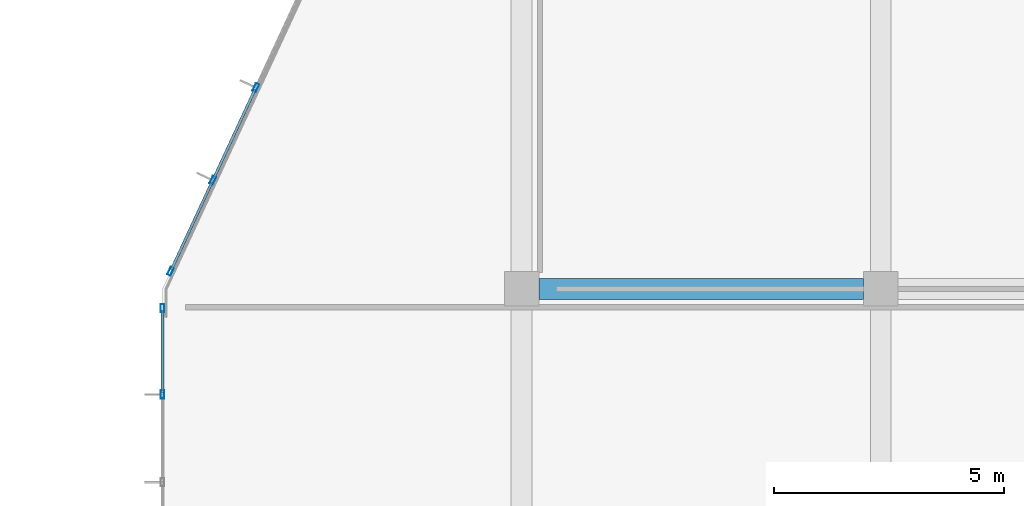
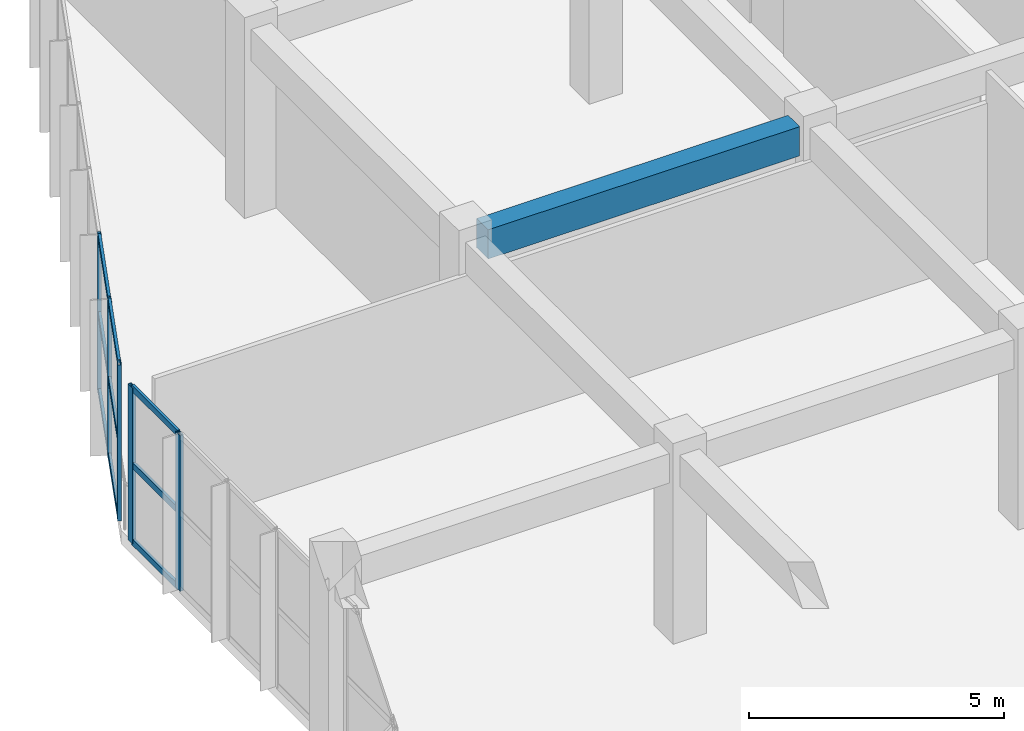
# One storey, part 20 of 167: 14 members, 1 beam, 2 elements without a shape of their own.
"""IFC4 building model written with IfcOpenShell, lengths in metres."""

from ifc_helpers import new_model, si_unit, direction, frame, origin, origin_2d, place, context, subcontext, project, spatial, rectangle, hollow_rectangle, extrude, material, layer, layer_set, material_profile, profile_set, type_object, element, aggregate, save


model = new_model("IFC4")

# Units and contexts
model_context = context("Model", 3, precision=1e-05, world=origin(), true_north=direction((0.0, 1.0)))
body_context = subcontext(model_context, "Body", "Model", "MODEL_VIEW")
ifc_project = project(units=[si_unit("LENGTHUNIT", "METRE"), si_unit("AREAUNIT", "SQUARE_METRE"), si_unit("VOLUMEUNIT", "CUBIC_METRE"), si_unit("PLANEANGLEUNIT", "RADIAN"), si_unit("MASSUNIT", "GRAM", prefix="KILO")], contexts=[model_context])

# Site, building, storey
site_placement = place(None, origin())
site = spatial("IfcSite", under=ifc_project, at=site_placement, CompositionType="ELEMENT")
building_placement = place(site_placement, origin())
building = spatial("IfcBuilding", under=site, at=building_placement, Name="Zizhar Promenade General Hospital", CompositionType="ELEMENT")
storey_placement = place(building_placement, frame((0.0, 0.0, 9.60009765625)))
storey = spatial("IfcBuildingStorey", under=building, at=storey_placement, Name="L02", CompositionType="ELEMENT", Elevation=9.60009765625)

# Beam
ifc_material_1 = material(Name="Concrete C35/45", Category="concrete")
ifc_material_profile_1 = material_profile(ifc_material_1, rectangle(XDim=0.449951171875, YDim=0.699951171875, at=origin_2d()))
ifc_profile_set_1 = profile_set([ifc_material_profile_1], Name="Concrete C35/45")
beam_type = type_object("IfcBeamType", Name="BM-RC-450x700", PredefinedType="BEAM", material=ifc_profile_set_1)
beam_placement = place(storey_placement, frame((8.175048828125, 50.39990234375, 4.119873046875), z_axis=(1.0, 0.0, 0.0), x_axis=(0.0, 1.0, 0.0)))
element("IfcBeam", 1, at=beam_placement, inside=storey, type_object=beam_type, Name="Grid Beam X L02 (1-6)", PredefinedType="BEAM", context=body_context, shape_type="SweptSolid", body=[
    extrude(rectangle(XDim=0.449951171875, YDim=0.699951171875, at=origin_2d()), origin(), (0.0, 0.0, 1.0), 7.050048828125),
])

# Curtain wall, members
ifc_material_2 = material(Name="Anodised aluminium 6063-T6 and low-E glass", Category="aluminium")
ifc_layer_1 = layer(ifc_material_2, 0.159912109375)
ifc_layer_set_1 = layer_set([ifc_layer_1], Name="Anodised aluminium 6063-T6 and low-E glass")
curtain_wall_type_1 = type_object("IfcCurtainWallType", Name="CW-ED-FRONT", PredefinedType="NOTDEFINED", material=ifc_layer_set_1)
curtain_wall_1_placement = place(storey_placement, origin())
curtain_wall_1 = element("IfcCurtainWall", 2, at=curtain_wall_1_placement, inside=storey, type_object=curtain_wall_type_1, Name="West Diagnostic Arm Glazed Curtain Wall L02-W5", PredefinedType="NOTDEFINED")
ifc_material_3 = material(Name="Anodised aluminium 6063-T6", Category="aluminium")
ifc_material_profile_2 = material_profile(ifc_material_3, hollow_rectangle(XDim=0.080078125, YDim=0.179931640625, WallThickness=0.0048828125, at=origin_2d()))
ifc_profile_set_2 = profile_set([ifc_material_profile_2], Name="Anodised aluminium 6063-T6")
member_type_1 = type_object("IfcMemberType", Name="CWM-ALU-180x80", PredefinedType="MULLION", material=ifc_profile_set_2)
member_1_placement = place(storey_placement, frame((0.0, 48.110107421875, 0.0), z_axis=(0.0, 0.0, 1.0), x_axis=(-1.0, 0.0, 0.0)))
member_1 = element("IfcMember", 3, at=member_1_placement, type_object=member_type_1, Name="CW-06 mullion 4", PredefinedType="MULLION", context=body_context, shape_type="SweptSolid", body=[
    extrude(hollow_rectangle(XDim=0.080078125, YDim=0.179931640625, WallThickness=0.0048828125, at=origin_2d()), origin(), (0.0, 0.0, 1.0), 3.72998046875),
])
member_2_placement = place(storey_placement, frame((0.0, 49.97998046875, 0.0), z_axis=(0.0, 0.0, 1.0), x_axis=(-1.0, 0.0, 0.0)))
member_2 = element("IfcMember", 4, at=member_2_placement, type_object=member_type_1, Name="CW-06 mullion 5", PredefinedType="MULLION", context=body_context, shape_type="SweptSolid", body=[
    extrude(hollow_rectangle(XDim=0.080078125, YDim=0.179931640625, WallThickness=0.0048828125, at=origin_2d()), origin(), (0.0, 0.0, 1.0), 3.72998046875),
])

ifc_material_4 = material(Name="Anodised aluminium 6063-T6 and low-E glass", Category="aluminium")
ifc_layer_2 = layer(ifc_material_4, 0.159912109375)
ifc_layer_set_2 = layer_set([ifc_layer_2], Name="Anodised aluminium 6063-T6 and low-E glass")
curtain_wall_type_2 = type_object("IfcCurtainWallType", Name="CW-DT-MOD2", PredefinedType="NOTDEFINED", material=ifc_layer_set_2)
curtain_wall_2_placement = place(storey_placement, origin())
curtain_wall_2 = element("IfcCurtainWall", 5, at=curtain_wall_2_placement, inside=storey, type_object=curtain_wall_type_2, Name="West Diagnostic Arm Glazed Curtain Wall L02-NW1", PredefinedType="NOTDEFINED")
member_3_placement = place(storey_placement, frame((0.1767578125, 50.781005859375, 0.0), z_axis=(0.0, 0.0, 1.0), x_axis=(-0.907007278189, 0.421114945486, 0.0)))
member_3 = element("IfcMember", 6, at=member_3_placement, type_object=member_type_1, Name="CW-08 mullion 1", PredefinedType="MULLION", context=body_context, shape_type="SweptSolid", body=[
    extrude(hollow_rectangle(XDim=0.080078125, YDim=0.179931640625, WallThickness=0.0048828125, at=origin_2d()), origin(), (0.0, 0.0, 1.0), 3.72998046875),
])
member_4_placement = place(storey_placement, frame((1.094970703125, 52.758544921875, 0.0), z_axis=(0.0, 0.0, 1.0), x_axis=(-0.907007278189, 0.421114945486, 0.0)))
member_4 = element("IfcMember", 7, at=member_4_placement, type_object=member_type_1, Name="CW-08 mullion 2", PredefinedType="MULLION", context=body_context, shape_type="SweptSolid", body=[
    extrude(hollow_rectangle(XDim=0.080078125, YDim=0.179931640625, WallThickness=0.0048828125, at=origin_2d()), origin(), (0.0, 0.0, 1.0), 3.72998046875),
])
member_5_placement = place(storey_placement, frame((2.030029296875, 54.7724609375, 0.0), z_axis=(0.0, 0.0, 1.0), x_axis=(-0.907007278189, 0.421114945486, 0.0)))
member_5 = element("IfcMember", 8, at=member_5_placement, type_object=member_type_1, Name="CW-08 mullion 3", PredefinedType="MULLION", context=body_context, shape_type="SweptSolid", body=[
    extrude(hollow_rectangle(XDim=0.080078125, YDim=0.179931640625, WallThickness=0.0048828125, at=origin_2d()), origin(), (0.0, 0.0, 1.0), 3.72998046875),
])

# Member
ifc_material_5 = material(Name="Anodised aluminium 6063-T6", Category="aluminium")
ifc_material_profile_3 = material_profile(ifc_material_5, hollow_rectangle(XDim=0.06005859375, YDim=0.14990234375, WallThickness=0.00390625, at=origin_2d()))
ifc_profile_set_3 = profile_set([ifc_material_profile_3], Name="Anodised aluminium 6063-T6")
member_type_2 = type_object("IfcMemberType", Name="CWT-ALU-150x60", PredefinedType="USERDEFINED", material=ifc_profile_set_3)
member_6_placement = place(storey_placement, frame((0.0, 48.14990234375, 0.02978515625), z_axis=(0.0, 1.0, 0.0), x_axis=(-1.0, 0.0, 0.0)))
member_6 = element("IfcMember", 9, at=member_6_placement, type_object=member_type_2, Name="CW-06 transom 4.1", ObjectType="TRANSOM", PredefinedType="USERDEFINED", context=body_context, shape_type="SweptSolid", body=[
    extrude(hollow_rectangle(XDim=0.06005859375, YDim=0.14990234375, WallThickness=0.00390625, at=origin_2d()), origin(), (0.0, 0.0, 1.0), 1.7900390625),
])

member_7_placement = place(storey_placement, frame((0.0, 48.14990234375, 1.864990234375), z_axis=(0.0, 1.0, 0.0), x_axis=(-1.0, 0.0, 0.0)))
member_7 = element("IfcMember", 10, at=member_7_placement, type_object=member_type_2, Name="CW-06 transom 4.2", ObjectType="TRANSOM", PredefinedType="USERDEFINED", context=body_context, shape_type="SweptSolid", body=[
    extrude(hollow_rectangle(XDim=0.06005859375, YDim=0.14990234375, WallThickness=0.00390625, at=origin_2d()), origin(), (0.0, 0.0, 1.0), 1.7900390625),
])

member_8_placement = place(storey_placement, frame((0.0, 48.14990234375, 3.699951171875), z_axis=(0.0, 1.0, 0.0), x_axis=(-1.0, 0.0, 0.0)))
member_8 = element("IfcMember", 11, at=member_8_placement, type_object=member_type_2, Name="CW-06 transom 4.3", ObjectType="TRANSOM", PredefinedType="USERDEFINED", context=body_context, shape_type="SweptSolid", body=[
    extrude(hollow_rectangle(XDim=0.06005859375, YDim=0.14990234375, WallThickness=0.00390625, at=origin_2d()), origin(), (0.0, 0.0, 1.0), 1.7900390625),
])

aggregate(curtain_wall_1, [member_1, member_2, member_6, member_7, member_8])

member_9_placement = place(storey_placement, frame((0.193603515625, 50.817138671875, 0.02978515625), z_axis=(0.42112838219, 0.907001039533, 0.0), x_axis=(-0.907001039533, 0.42112838219, 0.0)))
member_9 = element("IfcMember", 12, at=member_9_placement, type_object=member_type_2, Name="CW-08 transom 1.1", ObjectType="TRANSOM", PredefinedType="USERDEFINED", context=body_context, shape_type="SweptSolid", body=[
    extrude(hollow_rectangle(XDim=0.06005859375, YDim=0.14990234375, WallThickness=0.00390625, at=origin_2d()), origin(), (0.0, 0.0, 1.0), 2.100341796875),
])

member_10_placement = place(storey_placement, frame((0.193603515625, 50.817138671875, 1.864990234375), z_axis=(0.42112838219, 0.907001039533, 0.0), x_axis=(-0.907001039533, 0.42112838219, 0.0)))
member_10 = element("IfcMember", 13, at=member_10_placement, type_object=member_type_2, Name="CW-08 transom 1.2", ObjectType="TRANSOM", PredefinedType="USERDEFINED", context=body_context, shape_type="SweptSolid", body=[
    extrude(hollow_rectangle(XDim=0.06005859375, YDim=0.14990234375, WallThickness=0.00390625, at=origin_2d()), origin(), (0.0, 0.0, 1.0), 2.100341796875),
])

member_11_placement = place(storey_placement, frame((0.193603515625, 50.817138671875, 3.699951171875), z_axis=(0.42112838219, 0.907001039533, 0.0), x_axis=(-0.907001039533, 0.42112838219, 0.0)))
member_11 = element("IfcMember", 14, at=member_11_placement, type_object=member_type_2, Name="CW-08 transom 1.3", ObjectType="TRANSOM", PredefinedType="USERDEFINED", context=body_context, shape_type="SweptSolid", body=[
    extrude(hollow_rectangle(XDim=0.06005859375, YDim=0.14990234375, WallThickness=0.00390625, at=origin_2d()), origin(), (0.0, 0.0, 1.0), 2.100341796875),
])

member_12_placement = place(storey_placement, frame((1.11181640625, 52.794921875, 0.02978515625), z_axis=(0.421154876076, 0.906988737724, 0.0), x_axis=(-0.906988737724, 0.421154876076, 0.0)))
member_12 = element("IfcMember", 15, at=member_12_placement, type_object=member_type_2, Name="CW-08 transom 2.1", ObjectType="TRANSOM", PredefinedType="USERDEFINED", context=body_context, shape_type="SweptSolid", body=[
    extrude(hollow_rectangle(XDim=0.06005859375, YDim=0.14990234375, WallThickness=0.00390625, at=origin_2d()), origin(), (0.0, 0.0, 1.0), 2.14013671875),
])

member_13_placement = place(storey_placement, frame((1.11181640625, 52.794921875, 1.864990234375), z_axis=(0.421154876076, 0.906988737724, 0.0), x_axis=(-0.906988737724, 0.421154876076, 0.0)))
member_13 = element("IfcMember", 16, at=member_13_placement, type_object=member_type_2, Name="CW-08 transom 2.2", ObjectType="TRANSOM", PredefinedType="USERDEFINED", context=body_context, shape_type="SweptSolid", body=[
    extrude(hollow_rectangle(XDim=0.06005859375, YDim=0.14990234375, WallThickness=0.00390625, at=origin_2d()), origin(), (0.0, 0.0, 1.0), 2.14013671875),
])

member_14_placement = place(storey_placement, frame((1.11181640625, 52.794921875, 3.699951171875), z_axis=(0.421154876076, 0.906988737724, 0.0), x_axis=(-0.906988737724, 0.421154876076, 0.0)))
member_14 = element("IfcMember", 17, at=member_14_placement, type_object=member_type_2, Name="CW-08 transom 2.3", ObjectType="TRANSOM", PredefinedType="USERDEFINED", context=body_context, shape_type="SweptSolid", body=[
    extrude(hollow_rectangle(XDim=0.06005859375, YDim=0.14990234375, WallThickness=0.00390625, at=origin_2d()), origin(), (0.0, 0.0, 1.0), 2.14013671875),
])

aggregate(curtain_wall_2, [member_3, member_4, member_5, member_9, member_10, member_11, member_12, member_13, member_14])

save(model, "model.ifc")
